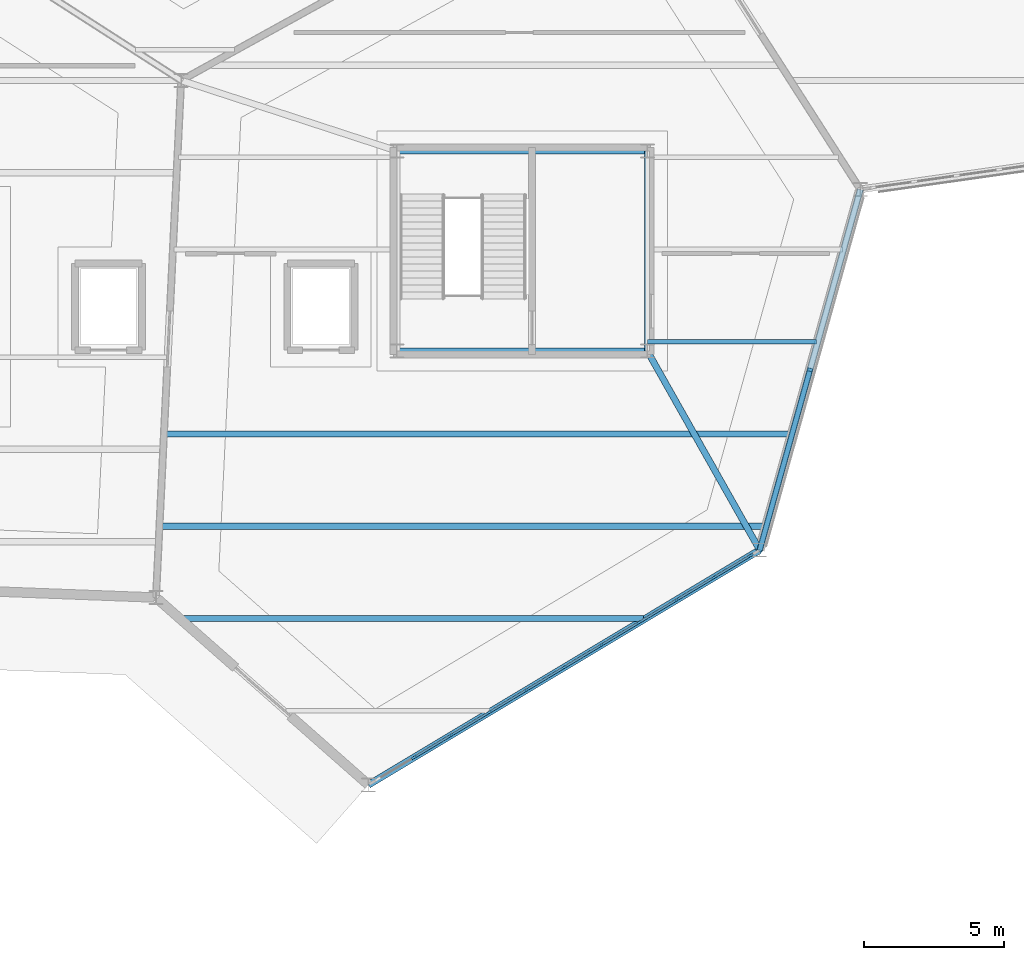
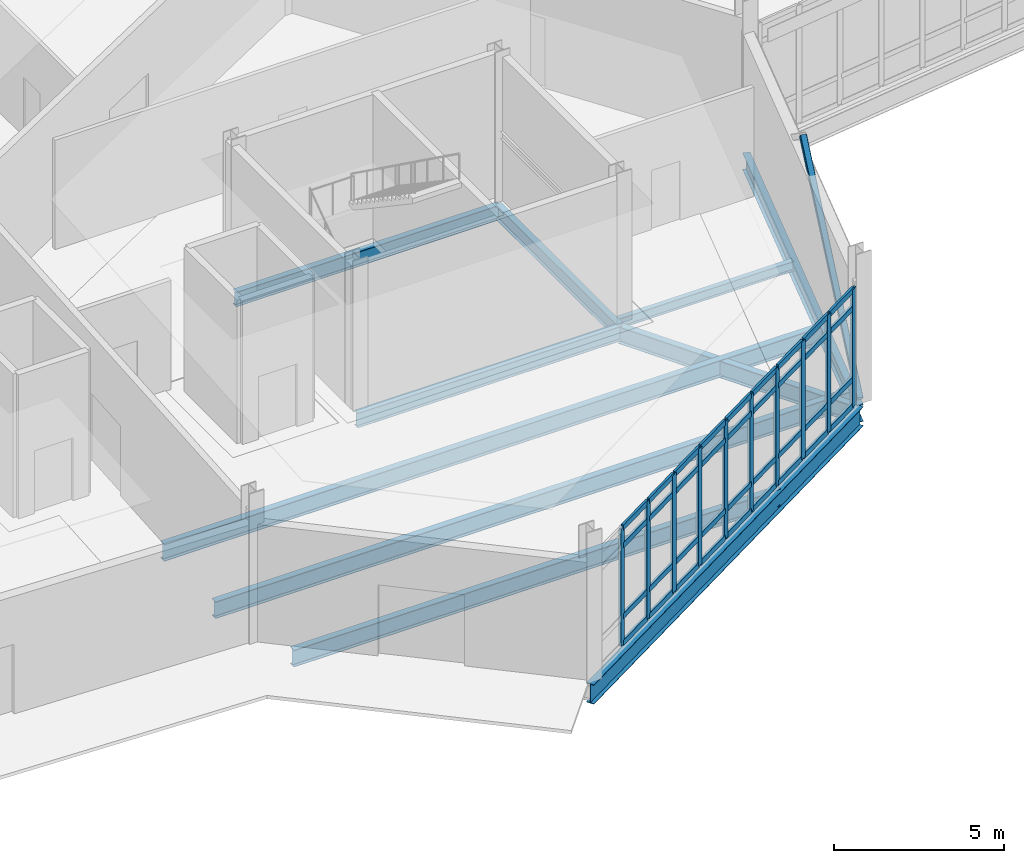
# One storey, part 62 of 113: 47 members, 10 beams, 1 element without a shape of its own.
"""IFC4 building model written with IfcOpenShell, lengths in metres."""

from ifc_helpers import new_model, si_unit, direction, frame, origin, origin_2d, place, context, subcontext, project, spatial, rectangle, hollow_rectangle, i_section, extrude, material, material_profile, profile_set, type_object, element, aggregate, save


model = new_model("IFC4")

# Units and contexts
model_context = context("Model", 3, precision=1e-05, world=origin(), true_north=direction((0.0, 1.0)))
body_context = subcontext(model_context, "Body", "Model", "MODEL_VIEW")
ifc_project = project(units=[si_unit("LENGTHUNIT", "METRE"), si_unit("AREAUNIT", "SQUARE_METRE"), si_unit("VOLUMEUNIT", "CUBIC_METRE"), si_unit("PLANEANGLEUNIT", "RADIAN"), si_unit("MASSUNIT", "GRAM", prefix="KILO")], contexts=[model_context])

# Site, building, storey
site_placement = place(None, origin())
site = spatial("IfcSite", under=ifc_project, at=site_placement, CompositionType="ELEMENT")
building_placement = place(site_placement, origin())
building = spatial("IfcBuilding", under=site, at=building_placement, Name="Tameran Prism Museum", CompositionType="ELEMENT")
storey_placement = place(building_placement, origin())
storey = spatial("IfcBuildingStorey", under=building, at=storey_placement, Name="L00", CompositionType="ELEMENT", Elevation=0.0)

# Beams
ifc_material_1 = material(Name="Steel Grade 300PLUS (300 MPa)", Category="steel")
ifc_material_profile_1 = material_profile(ifc_material_1, i_section(OverallWidth=0.172119140625, OverallDepth=0.35888671875, WebThickness=0.008056640625, FlangeThickness=0.012939453125, FilletRadius=0.011474609375, at=origin_2d()))
ifc_profile_set_1 = profile_set([ifc_material_profile_1])
beam_type_1 = type_object("IfcBeamType", Name="BM-J360A", PredefinedType="JOIST", material=ifc_profile_set_1)
beam_1_placement = place(storey_placement, frame((135.47998046875, 79.75, -0.41943359375), z_axis=(1.0, 0.0, 0.0), x_axis=(0.0, 1.0, 0.0)))
element("IfcBeam", 1, at=beam_1_placement, inside=storey, type_object=beam_type_1, Name="Floor Beam BM-0173", PredefinedType="JOIST", context=body_context, shape_type="SweptSolid", body=[
    extrude(i_section(OverallWidth=0.172119140625, OverallDepth=0.35888671875, WebThickness=0.008056640625, FlangeThickness=0.012939453125, FilletRadius=0.011474609375, at=origin_2d()), origin(), (0.0, 0.0, 1.0), 6.05810546875),
])
ifc_material_2 = material(Name="Steel Grade 300PLUS (300 MPa)", Category="steel")
ifc_material_profile_2 = material_profile(ifc_material_2, i_section(OverallWidth=0.208984375, OverallDepth=0.528076171875, WebThickness=0.009521484375, FlangeThickness=0.01318359375, FilletRadius=0.013916015625, at=origin_2d()))
ifc_profile_set_2 = profile_set([ifc_material_profile_2])
beam_type_2 = type_object("IfcBeamType", Name="BM-SP530B", PredefinedType="SPANDREL", material=ifc_profile_set_2)
beam_2_placement = place(storey_placement, frame((126.52001953125, 79.419921875, -0.50390625), z_axis=(1.0, 0.0, 0.0), x_axis=(0.0, 1.0, 0.0)))
element("IfcBeam", 2, at=beam_2_placement, inside=storey, type_object=beam_type_2, Name="Core Ring Beam CTB-0106", PredefinedType="SPANDREL", context=body_context, shape_type="SweptSolid", body=[
    extrude(i_section(OverallWidth=0.208984375, OverallDepth=0.528076171875, WebThickness=0.009521484375, FlangeThickness=0.01318359375, FilletRadius=0.013916015625, at=origin_2d()), origin(), (0.0, 0.0, 1.0), 8.9599609375),
])
beam_3_placement = place(storey_placement, frame((135.47998046875, 79.419921875, -0.50390625), z_axis=(0.0, 1.0, 0.0), x_axis=(-1.0, 0.0, 0.0)))
element("IfcBeam", 3, at=beam_3_placement, inside=storey, type_object=beam_type_2, Name="Core Ring Beam CTB-0107", PredefinedType="SPANDREL", context=body_context, shape_type="SweptSolid", body=[
    extrude(i_section(OverallWidth=0.208984375, OverallDepth=0.528076171875, WebThickness=0.009521484375, FlangeThickness=0.01318359375, FilletRadius=0.013916015625, at=origin_2d()), origin(), (0.0, 0.0, 1.0), 7.16015625),
])
beam_4_placement = place(storey_placement, frame((135.47998046875, 86.580078125, -0.50390625), z_axis=(-1.0, 0.0, 0.0), x_axis=(0.0, -1.0, 0.0)))
element("IfcBeam", 4, at=beam_4_placement, inside=storey, type_object=beam_type_2, Name="Core Ring Beam CTB-0108", PredefinedType="SPANDREL", context=body_context, shape_type="SweptSolid", body=[
    extrude(i_section(OverallWidth=0.208984375, OverallDepth=0.528076171875, WebThickness=0.009521484375, FlangeThickness=0.01318359375, FilletRadius=0.013916015625, at=origin_2d()), origin(), (0.0, 0.0, 1.0), 8.9599609375),
])
ifc_material_3 = material(Name="Steel Grade 300PLUS (300 MPa)", Category="steel")
ifc_material_profile_3 = material_profile(ifc_material_3, i_section(OverallWidth=0.22802734375, OverallDepth=0.60205078125, WebThickness=0.010498046875, FlangeThickness=0.014892578125, FilletRadius=0.013916015625, at=origin_2d()))
ifc_profile_set_3 = profile_set([ifc_material_profile_3])
beam_type_3 = type_object("IfcBeamType", Name="BM-SP610", PredefinedType="SPANDREL", material=ifc_profile_set_3)
beam_5_placement = place(storey_placement, frame((139.5, 72.300048828125, -0.541015625), z_axis=(0.268807620494, 0.96319388659, 0.0), x_axis=(-0.96319388659, 0.268807620494, 0.0)))
element("IfcBeam", 5, at=beam_5_placement, inside=storey, type_object=beam_type_3, Name="Perimeter Spandrel SP-0008", PredefinedType="SPANDREL", context=body_context, shape_type="SweptSolid", body=[
    extrude(i_section(OverallWidth=0.22802734375, OverallDepth=0.60205078125, WebThickness=0.010498046875, FlangeThickness=0.014892578125, FilletRadius=0.013916015625, at=origin_2d()), origin(), (0.0, 0.0, 1.0), 13.392822265625),
])
ifc_material_4 = material(Name="Steel Grade 350 (350 MPa)", Category="steel")
ifc_material_profile_4 = material_profile(ifc_material_4, i_section(OverallWidth=0.25, OverallDepth=0.699951171875, WebThickness=0.010009765625, FlangeThickness=0.02001953125, at=origin_2d()))
ifc_profile_set_4 = profile_set([ifc_material_profile_4])
beam_type_4 = type_object("IfcBeamType", Name="BM-SP700", PredefinedType="SPANDREL", material=ifc_profile_set_4)
beam_6_placement = place(storey_placement, frame((125.5, 63.89990234375, -0.590087890625), z_axis=(0.857488967429, 0.51450235251, 0.0), x_axis=(-0.51450235251, 0.857488967429, 0.0)))
element("IfcBeam", 6, at=beam_6_placement, inside=storey, type_object=beam_type_4, Name="Perimeter Spandrel SP-0007", PredefinedType="SPANDREL", context=body_context, shape_type="SweptSolid", body=[
    extrude(i_section(OverallWidth=0.25, OverallDepth=0.699951171875, WebThickness=0.010009765625, FlangeThickness=0.02001953125, at=origin_2d()), origin(), (0.0, 0.0, 1.0), 16.32666015625),
])
ifc_material_5 = material(Name="Steel Grade 300PLUS (300 MPa)", Category="steel")
ifc_material_profile_5 = material_profile(ifc_material_5, i_section(OverallWidth=0.22900390625, OverallDepth=0.612060546875, WebThickness=0.011962890625, FlangeThickness=0.01953125, FilletRadius=0.013916015625, at=origin_2d()))
ifc_profile_set_5 = profile_set([ifc_material_profile_5])
beam_type_5 = type_object("IfcBeamType", Name="BM-UB610A", PredefinedType="BEAM", material=ifc_profile_set_5)
beam_7_placement = place(storey_placement, frame((135.47998046875, 79.419921875, -0.56005859375), z_axis=(0.491662661717, -0.870785752682, 0.0), x_axis=(0.870785752682, 0.491662661717, 0.0)))
element("IfcBeam", 7, at=beam_7_placement, inside=storey, type_object=beam_type_5, Name="Frame Tie Girder FG-1387", PredefinedType="BEAM", context=body_context, shape_type="SweptSolid", body=[
    extrude(i_section(OverallWidth=0.22900390625, OverallDepth=0.612060546875, WebThickness=0.011962890625, FlangeThickness=0.01953125, FilletRadius=0.013916015625, at=origin_2d()), origin(), (0.0, 0.0, 1.0), 8.17626953125),
])
ifc_material_6 = material(Name="Steel Grade 300PLUS (300 MPa)", Category="steel")
ifc_material_profile_6 = material_profile(ifc_material_6, i_section(OverallWidth=0.22802734375, OverallDepth=0.60693359375, WebThickness=0.01123046875, FlangeThickness=0.017333984375, FilletRadius=0.013916015625, at=origin_2d()))
ifc_profile_set_6 = profile_set([ifc_material_profile_6])
beam_type_6 = type_object("IfcBeamType", Name="BM-UB610B", PredefinedType="BEAM", material=ifc_profile_set_6)
beam_8_placement = place(storey_placement, frame((118.81103515625, 69.85009765625, -0.54345703125), z_axis=(1.0, 0.0, 0.0), x_axis=(0.0, 1.0, 0.0)))
element("IfcBeam", 8, at=beam_8_placement, inside=storey, type_object=beam_type_6, Name="Floor Beam BM-0169", PredefinedType="BEAM", context=body_context, shape_type="SweptSolid", body=[
    extrude(i_section(OverallWidth=0.22802734375, OverallDepth=0.60693359375, WebThickness=0.01123046875, FlangeThickness=0.017333984375, FilletRadius=0.013916015625, at=origin_2d()), origin(), (0.0, 0.0, 1.0), 16.528076171875),
])
beam_9_placement = place(storey_placement, frame((118.06396484375, 73.14990234375, -0.54345703125), z_axis=(1.0, 0.0, 0.0), x_axis=(0.0, 1.0, 0.0)))
element("IfcBeam", 9, at=beam_9_placement, inside=storey, type_object=beam_type_6, Name="Floor Beam BM-0170", PredefinedType="BEAM", context=body_context, shape_type="SweptSolid", body=[
    extrude(i_section(OverallWidth=0.22802734375, OverallDepth=0.60693359375, WebThickness=0.01123046875, FlangeThickness=0.017333984375, FilletRadius=0.013916015625, at=origin_2d()), origin(), (0.0, 0.0, 1.0), 21.632080078125),
])
beam_10_placement = place(storey_placement, frame((118.22509765625, 76.449951171875, -0.54345703125), z_axis=(1.0, 0.0, 0.0), x_axis=(0.0, 1.0, 0.0)))
element("IfcBeam", 10, at=beam_10_placement, inside=storey, type_object=beam_type_6, Name="Floor Beam BM-0171", PredefinedType="BEAM", context=body_context, shape_type="SweptSolid", body=[
    extrude(i_section(OverallWidth=0.22802734375, OverallDepth=0.60693359375, WebThickness=0.01123046875, FlangeThickness=0.017333984375, FilletRadius=0.013916015625, at=origin_2d()), origin(), (0.0, 0.0, 1.0), 22.391845703125),
])

# Curtain wall, members
ifc_material_7 = material(Name="Anodised Aluminium 6063-T6 and Cyclone Solar Glass", Category="aluminium")
curtain_wall_type = type_object("IfcCurtainWallType", Name="CW-FAC-1563x422", PredefinedType="USERDEFINED", material=ifc_material_7)
curtain_wall_placement = place(storey_placement, origin())
curtain_wall = element("IfcCurtainWall", 11, at=curtain_wall_placement, inside=storey, type_object=curtain_wall_type, Name="Unitised Curtain Wall CW-022", ObjectType="UNITISED CURTAIN WALL", PredefinedType="USERDEFINED")
ifc_material_8 = material(Name="Anodised Aluminium Alloy 6063-T6", Category="aluminium")
ifc_material_profile_7 = material_profile(ifc_material_8, rectangle(XDim=0.080078125, YDim=0.219970703125, at=origin_2d()))
ifc_profile_set_7 = profile_set([ifc_material_profile_7])
member_type_1 = type_object("IfcMemberType", Name="CW-MUL-D", PredefinedType="MULLION", material=ifc_profile_set_7)
member_1_placement = place(storey_placement, frame((139.165771484375, 72.099365234375, 0.0), z_axis=(0.0, 0.0, 1.0), x_axis=(0.514495755426, -0.857492925713, 0.0)))
member_1 = element("IfcMember", 12, at=member_1_placement, type_object=member_type_1, Name="CW-022 mullion 1", PredefinedType="MULLION", context=body_context, shape_type="SweptSolid", body=[
    extrude(rectangle(XDim=0.080078125, YDim=0.219970703125, at=origin_2d()), origin(), (0.0, 0.0, 1.0), 4.219970703125),
])
member_2_placement = place(storey_placement, frame((137.860107421875, 71.31591796875, 0.0), z_axis=(0.0, 0.0, 1.0), x_axis=(0.514495755426, -0.857492925713, 0.0)))
member_2 = element("IfcMember", 13, at=member_2_placement, type_object=member_type_1, Name="CW-022 mullion 2", PredefinedType="MULLION", context=body_context, shape_type="SweptSolid", body=[
    extrude(rectangle(XDim=0.080078125, YDim=0.219970703125, at=origin_2d()), origin(), (0.0, 0.0, 1.0), 4.219970703125),
])
member_3_placement = place(storey_placement, frame((136.52001953125, 70.511962890625, 0.0), z_axis=(0.0, 0.0, 1.0), x_axis=(0.514495755426, -0.857492925713, 0.0)))
member_3 = element("IfcMember", 14, at=member_3_placement, type_object=member_type_1, Name="CW-022 mullion 3", PredefinedType="MULLION", context=body_context, shape_type="SweptSolid", body=[
    extrude(rectangle(XDim=0.080078125, YDim=0.219970703125, at=origin_2d()), origin(), (0.0, 0.0, 1.0), 4.219970703125),
])
member_4_placement = place(storey_placement, frame((135.179931640625, 69.7080078125, 0.0), z_axis=(0.0, 0.0, 1.0), x_axis=(0.514495755426, -0.857492925713, 0.0)))
member_4 = element("IfcMember", 15, at=member_4_placement, type_object=member_type_1, Name="CW-022 mullion 4", PredefinedType="MULLION", context=body_context, shape_type="SweptSolid", body=[
    extrude(rectangle(XDim=0.080078125, YDim=0.219970703125, at=origin_2d()), origin(), (0.0, 0.0, 1.0), 4.219970703125),
])
member_5_placement = place(storey_placement, frame((133.840087890625, 68.904052734375, 0.0), z_axis=(0.0, 0.0, 1.0), x_axis=(0.514495755426, -0.857492925713, 0.0)))
member_5 = element("IfcMember", 16, at=member_5_placement, type_object=member_type_1, Name="CW-022 mullion 5", PredefinedType="MULLION", context=body_context, shape_type="SweptSolid", body=[
    extrude(rectangle(XDim=0.080078125, YDim=0.219970703125, at=origin_2d()), origin(), (0.0, 0.0, 1.0), 4.219970703125),
])
member_6_placement = place(storey_placement, frame((132.5, 68.10009765625, 0.0), z_axis=(0.0, 0.0, 1.0), x_axis=(0.514495755426, -0.857492925713, 0.0)))
member_6 = element("IfcMember", 17, at=member_6_placement, type_object=member_type_1, Name="CW-022 mullion 6", PredefinedType="MULLION", context=body_context, shape_type="SweptSolid", body=[
    extrude(rectangle(XDim=0.080078125, YDim=0.219970703125, at=origin_2d()), origin(), (0.0, 0.0, 1.0), 4.219970703125),
])
member_7_placement = place(storey_placement, frame((131.159912109375, 67.2958984375, 0.0), z_axis=(0.0, 0.0, 1.0), x_axis=(0.514495755426, -0.857492925713, 0.0)))
member_7 = element("IfcMember", 18, at=member_7_placement, type_object=member_type_1, Name="CW-022 mullion 7", PredefinedType="MULLION", context=body_context, shape_type="SweptSolid", body=[
    extrude(rectangle(XDim=0.080078125, YDim=0.219970703125, at=origin_2d()), origin(), (0.0, 0.0, 1.0), 4.219970703125),
])
member_8_placement = place(storey_placement, frame((129.820068359375, 66.491943359375, 0.0), z_axis=(0.0, 0.0, 1.0), x_axis=(0.514495755426, -0.857492925713, 0.0)))
member_8 = element("IfcMember", 19, at=member_8_placement, type_object=member_type_1, Name="CW-022 mullion 8", PredefinedType="MULLION", context=body_context, shape_type="SweptSolid", body=[
    extrude(rectangle(XDim=0.080078125, YDim=0.219970703125, at=origin_2d()), origin(), (0.0, 0.0, 1.0), 4.219970703125),
])
member_9_placement = place(storey_placement, frame((128.47998046875, 65.68798828125, 0.0), z_axis=(0.0, 0.0, 1.0), x_axis=(0.514495755426, -0.857492925713, 0.0)))
member_9 = element("IfcMember", 20, at=member_9_placement, type_object=member_type_1, Name="CW-022 mullion 9", PredefinedType="MULLION", context=body_context, shape_type="SweptSolid", body=[
    extrude(rectangle(XDim=0.080078125, YDim=0.219970703125, at=origin_2d()), origin(), (0.0, 0.0, 1.0), 4.219970703125),
])
member_10_placement = place(storey_placement, frame((127.139892578125, 64.884033203125, 0.0), z_axis=(0.0, 0.0, 1.0), x_axis=(0.514495755426, -0.857492925713, 0.0)))
member_10 = element("IfcMember", 21, at=member_10_placement, type_object=member_type_1, Name="CW-022 mullion 10", PredefinedType="MULLION", context=body_context, shape_type="SweptSolid", body=[
    extrude(rectangle(XDim=0.080078125, YDim=0.219970703125, at=origin_2d()), origin(), (0.0, 0.0, 1.0), 4.219970703125),
])
ifc_material_9 = material(Name="Anodised Aluminium Alloy 6063-T6", Category="aluminium")
ifc_material_profile_8 = material_profile(ifc_material_9, rectangle(XDim=0.080078125, YDim=0.195068359375, at=origin_2d()))
ifc_profile_set_8 = profile_set([ifc_material_profile_8])
member_type_2 = type_object("IfcMemberType", Name="CW-TRN-D", PredefinedType="USERDEFINED", material=ifc_profile_set_8)
member_11_placement = place(storey_placement, frame((139.13134765625, 72.078857421875, 0.0400390625), z_axis=(-0.857507857749, -0.514470867882, 0.0), x_axis=(0.514470867882, -0.857507857749, 0.0)))
member_11 = element("IfcMember", 22, at=member_11_placement, type_object=member_type_2, Name="CW-022 transom 1.1", ObjectType="TRANSOM", PredefinedType="USERDEFINED", context=body_context, shape_type="SweptSolid", body=[
    extrude(rectangle(XDim=0.080078125, YDim=0.195068359375, at=origin_2d()), origin(), (0.0, 0.0, 1.0), 1.442626953125),
])
member_12_placement = place(storey_placement, frame((139.13134765625, 72.078857421875, 1.0), z_axis=(-0.857507857749, -0.514470867882, 0.0), x_axis=(0.514470867882, -0.857507857749, 0.0)))
member_12 = element("IfcMember", 23, at=member_12_placement, type_object=member_type_2, Name="CW-022 transom 1.2", ObjectType="TRANSOM", PredefinedType="USERDEFINED", context=body_context, shape_type="SweptSolid", body=[
    extrude(rectangle(XDim=0.080078125, YDim=0.195068359375, at=origin_2d()), origin(), (0.0, 0.0, 1.0), 1.442626953125),
])
member_13_placement = place(storey_placement, frame((139.13134765625, 72.078857421875, 3.5400390625), z_axis=(-0.857507857749, -0.514470867882, 0.0), x_axis=(0.514470867882, -0.857507857749, 0.0)))
member_13 = element("IfcMember", 24, at=member_13_placement, type_object=member_type_2, Name="CW-022 transom 1.3", ObjectType="TRANSOM", PredefinedType="USERDEFINED", context=body_context, shape_type="SweptSolid", body=[
    extrude(rectangle(XDim=0.080078125, YDim=0.195068359375, at=origin_2d()), origin(), (0.0, 0.0, 1.0), 1.442626953125),
])
member_14_placement = place(storey_placement, frame((139.13134765625, 72.078857421875, 4.179931640625), z_axis=(-0.857507857749, -0.514470867882, 0.0), x_axis=(0.514470867882, -0.857507857749, 0.0)))
member_14 = element("IfcMember", 25, at=member_14_placement, type_object=member_type_2, Name="CW-022 transom 1.4", ObjectType="TRANSOM", PredefinedType="USERDEFINED", context=body_context, shape_type="SweptSolid", body=[
    extrude(rectangle(XDim=0.080078125, YDim=0.195068359375, at=origin_2d()), origin(), (0.0, 0.0, 1.0), 1.442626953125),
])
member_15_placement = place(storey_placement, frame((137.82568359375, 71.29541015625, 0.0400390625), z_axis=(-0.857478397748, -0.514519967927, 0.0), x_axis=(0.514519967927, -0.857478397748, 0.0)))
member_15 = element("IfcMember", 26, at=member_15_placement, type_object=member_type_2, Name="CW-022 transom 2.1", ObjectType="TRANSOM", PredefinedType="USERDEFINED", context=body_context, shape_type="SweptSolid", body=[
    extrude(rectangle(XDim=0.080078125, YDim=0.195068359375, at=origin_2d()), origin(), (0.0, 0.0, 1.0), 1.48291015625),
])
member_16_placement = place(storey_placement, frame((137.82568359375, 71.29541015625, 1.0), z_axis=(-0.857478397748, -0.514519967927, 0.0), x_axis=(0.514519967927, -0.857478397748, 0.0)))
member_16 = element("IfcMember", 27, at=member_16_placement, type_object=member_type_2, Name="CW-022 transom 2.2", ObjectType="TRANSOM", PredefinedType="USERDEFINED", context=body_context, shape_type="SweptSolid", body=[
    extrude(rectangle(XDim=0.080078125, YDim=0.195068359375, at=origin_2d()), origin(), (0.0, 0.0, 1.0), 1.48291015625),
])
member_17_placement = place(storey_placement, frame((137.82568359375, 71.29541015625, 3.5400390625), z_axis=(-0.857478397748, -0.514519967927, 0.0), x_axis=(0.514519967927, -0.857478397748, 0.0)))
member_17 = element("IfcMember", 28, at=member_17_placement, type_object=member_type_2, Name="CW-022 transom 2.3", ObjectType="TRANSOM", PredefinedType="USERDEFINED", context=body_context, shape_type="SweptSolid", body=[
    extrude(rectangle(XDim=0.080078125, YDim=0.195068359375, at=origin_2d()), origin(), (0.0, 0.0, 1.0), 1.48291015625),
])
member_18_placement = place(storey_placement, frame((137.82568359375, 71.29541015625, 4.179931640625), z_axis=(-0.857478397748, -0.514519967927, 0.0), x_axis=(0.514519967927, -0.857478397748, 0.0)))
member_18 = element("IfcMember", 29, at=member_18_placement, type_object=member_type_2, Name="CW-022 transom 2.4", ObjectType="TRANSOM", PredefinedType="USERDEFINED", context=body_context, shape_type="SweptSolid", body=[
    extrude(rectangle(XDim=0.080078125, YDim=0.195068359375, at=origin_2d()), origin(), (0.0, 0.0, 1.0), 1.48291015625),
])
member_19_placement = place(storey_placement, frame((136.485595703125, 70.491455078125, 0.0400390625), z_axis=(-0.857434801546, -0.514592616637, 0.0), x_axis=(0.514592616637, -0.857434801546, 0.0)))
member_19 = element("IfcMember", 30, at=member_19_placement, type_object=member_type_2, Name="CW-022 transom 3.1", ObjectType="TRANSOM", PredefinedType="USERDEFINED", context=body_context, shape_type="SweptSolid", body=[
    extrude(rectangle(XDim=0.080078125, YDim=0.195068359375, at=origin_2d()), origin(), (0.0, 0.0, 1.0), 1.482666015625),
])
member_20_placement = place(storey_placement, frame((136.485595703125, 70.491455078125, 1.0), z_axis=(-0.857434801546, -0.514592616637, 0.0), x_axis=(0.514592616637, -0.857434801546, 0.0)))
member_20 = element("IfcMember", 31, at=member_20_placement, type_object=member_type_2, Name="CW-022 transom 3.2", ObjectType="TRANSOM", PredefinedType="USERDEFINED", context=body_context, shape_type="SweptSolid", body=[
    extrude(rectangle(XDim=0.080078125, YDim=0.195068359375, at=origin_2d()), origin(), (0.0, 0.0, 1.0), 1.482666015625),
])
member_21_placement = place(storey_placement, frame((136.485595703125, 70.491455078125, 3.5400390625), z_axis=(-0.857434801546, -0.514592616637, 0.0), x_axis=(0.514592616637, -0.857434801546, 0.0)))
member_21 = element("IfcMember", 32, at=member_21_placement, type_object=member_type_2, Name="CW-022 transom 3.3", ObjectType="TRANSOM", PredefinedType="USERDEFINED", context=body_context, shape_type="SweptSolid", body=[
    extrude(rectangle(XDim=0.080078125, YDim=0.195068359375, at=origin_2d()), origin(), (0.0, 0.0, 1.0), 1.482666015625),
])
member_22_placement = place(storey_placement, frame((136.485595703125, 70.491455078125, 4.179931640625), z_axis=(-0.857434801546, -0.514592616637, 0.0), x_axis=(0.514592616637, -0.857434801546, 0.0)))
member_22 = element("IfcMember", 33, at=member_22_placement, type_object=member_type_2, Name="CW-022 transom 3.4", ObjectType="TRANSOM", PredefinedType="USERDEFINED", context=body_context, shape_type="SweptSolid", body=[
    extrude(rectangle(XDim=0.080078125, YDim=0.195068359375, at=origin_2d()), origin(), (0.0, 0.0, 1.0), 1.482666015625),
])
member_23_placement = place(storey_placement, frame((135.145751953125, 69.6875, 0.0400390625), z_axis=(-0.857478397748, -0.514519967927, 0.0), x_axis=(0.514519967927, -0.857478397748, 0.0)))
member_23 = element("IfcMember", 34, at=member_23_placement, type_object=member_type_2, Name="CW-022 transom 4.1", ObjectType="TRANSOM", PredefinedType="USERDEFINED", context=body_context, shape_type="SweptSolid", body=[
    extrude(rectangle(XDim=0.080078125, YDim=0.195068359375, at=origin_2d()), origin(), (0.0, 0.0, 1.0), 1.48291015625),
])
member_24_placement = place(storey_placement, frame((135.145751953125, 69.6875, 1.0), z_axis=(-0.857478397748, -0.514519967927, 0.0), x_axis=(0.514519967927, -0.857478397748, 0.0)))
member_24 = element("IfcMember", 35, at=member_24_placement, type_object=member_type_2, Name="CW-022 transom 4.2", ObjectType="TRANSOM", PredefinedType="USERDEFINED", context=body_context, shape_type="SweptSolid", body=[
    extrude(rectangle(XDim=0.080078125, YDim=0.195068359375, at=origin_2d()), origin(), (0.0, 0.0, 1.0), 1.48291015625),
])
member_25_placement = place(storey_placement, frame((135.145751953125, 69.6875, 3.5400390625), z_axis=(-0.857478397748, -0.514519967927, 0.0), x_axis=(0.514519967927, -0.857478397748, 0.0)))
member_25 = element("IfcMember", 36, at=member_25_placement, type_object=member_type_2, Name="CW-022 transom 4.3", ObjectType="TRANSOM", PredefinedType="USERDEFINED", context=body_context, shape_type="SweptSolid", body=[
    extrude(rectangle(XDim=0.080078125, YDim=0.195068359375, at=origin_2d()), origin(), (0.0, 0.0, 1.0), 1.48291015625),
])
member_26_placement = place(storey_placement, frame((135.145751953125, 69.6875, 4.179931640625), z_axis=(-0.857478397748, -0.514519967927, 0.0), x_axis=(0.514519967927, -0.857478397748, 0.0)))
member_26 = element("IfcMember", 37, at=member_26_placement, type_object=member_type_2, Name="CW-022 transom 4.4", ObjectType="TRANSOM", PredefinedType="USERDEFINED", context=body_context, shape_type="SweptSolid", body=[
    extrude(rectangle(XDim=0.080078125, YDim=0.195068359375, at=origin_2d()), origin(), (0.0, 0.0, 1.0), 1.48291015625),
])
member_27_placement = place(storey_placement, frame((133.8056640625, 68.88330078125, 0.0400390625), z_axis=(-0.857551035655, -0.514398893123, 0.0), x_axis=(0.514398893123, -0.857551035655, 0.0)))
member_27 = element("IfcMember", 38, at=member_27_placement, type_object=member_type_2, Name="CW-022 transom 5.1", ObjectType="TRANSOM", PredefinedType="USERDEFINED", context=body_context, shape_type="SweptSolid", body=[
    extrude(rectangle(XDim=0.080078125, YDim=0.195068359375, at=origin_2d()), origin(), (0.0, 0.0, 1.0), 1.482666015625),
])
member_28_placement = place(storey_placement, frame((133.8056640625, 68.88330078125, 1.0), z_axis=(-0.857551035655, -0.514398893123, 0.0), x_axis=(0.514398893123, -0.857551035655, 0.0)))
member_28 = element("IfcMember", 39, at=member_28_placement, type_object=member_type_2, Name="CW-022 transom 5.2", ObjectType="TRANSOM", PredefinedType="USERDEFINED", context=body_context, shape_type="SweptSolid", body=[
    extrude(rectangle(XDim=0.080078125, YDim=0.195068359375, at=origin_2d()), origin(), (0.0, 0.0, 1.0), 1.482666015625),
])
member_29_placement = place(storey_placement, frame((133.8056640625, 68.88330078125, 3.5400390625), z_axis=(-0.857551035655, -0.514398893123, 0.0), x_axis=(0.514398893123, -0.857551035655, 0.0)))
member_29 = element("IfcMember", 40, at=member_29_placement, type_object=member_type_2, Name="CW-022 transom 5.3", ObjectType="TRANSOM", PredefinedType="USERDEFINED", context=body_context, shape_type="SweptSolid", body=[
    extrude(rectangle(XDim=0.080078125, YDim=0.195068359375, at=origin_2d()), origin(), (0.0, 0.0, 1.0), 1.482666015625),
])
member_30_placement = place(storey_placement, frame((133.8056640625, 68.88330078125, 4.179931640625), z_axis=(-0.857551035655, -0.514398893123, 0.0), x_axis=(0.514398893123, -0.857551035655, 0.0)))
member_30 = element("IfcMember", 41, at=member_30_placement, type_object=member_type_2, Name="CW-022 transom 5.4", ObjectType="TRANSOM", PredefinedType="USERDEFINED", context=body_context, shape_type="SweptSolid", body=[
    extrude(rectangle(XDim=0.080078125, YDim=0.195068359375, at=origin_2d()), origin(), (0.0, 0.0, 1.0), 1.482666015625),
])
member_31_placement = place(storey_placement, frame((132.4658203125, 68.079345703125, 0.0400390625), z_axis=(-0.857551035655, -0.514398893123, 0.0), x_axis=(0.514398893123, -0.857551035655, 0.0)))
member_31 = element("IfcMember", 42, at=member_31_placement, type_object=member_type_2, Name="CW-022 transom 6.1", ObjectType="TRANSOM", PredefinedType="USERDEFINED", context=body_context, shape_type="SweptSolid", body=[
    extrude(rectangle(XDim=0.080078125, YDim=0.195068359375, at=origin_2d()), origin(), (0.0, 0.0, 1.0), 1.482666015625),
])
member_32_placement = place(storey_placement, frame((132.4658203125, 68.079345703125, 1.0), z_axis=(-0.857551035655, -0.514398893123, 0.0), x_axis=(0.514398893123, -0.857551035655, 0.0)))
member_32 = element("IfcMember", 43, at=member_32_placement, type_object=member_type_2, Name="CW-022 transom 6.2", ObjectType="TRANSOM", PredefinedType="USERDEFINED", context=body_context, shape_type="SweptSolid", body=[
    extrude(rectangle(XDim=0.080078125, YDim=0.195068359375, at=origin_2d()), origin(), (0.0, 0.0, 1.0), 1.482666015625),
])
member_33_placement = place(storey_placement, frame((132.4658203125, 68.079345703125, 3.5400390625), z_axis=(-0.857551035655, -0.514398893123, 0.0), x_axis=(0.514398893123, -0.857551035655, 0.0)))
member_33 = element("IfcMember", 44, at=member_33_placement, type_object=member_type_2, Name="CW-022 transom 6.3", ObjectType="TRANSOM", PredefinedType="USERDEFINED", context=body_context, shape_type="SweptSolid", body=[
    extrude(rectangle(XDim=0.080078125, YDim=0.195068359375, at=origin_2d()), origin(), (0.0, 0.0, 1.0), 1.482666015625),
])
member_34_placement = place(storey_placement, frame((132.4658203125, 68.079345703125, 4.179931640625), z_axis=(-0.857551035655, -0.514398893123, 0.0), x_axis=(0.514398893123, -0.857551035655, 0.0)))
member_34 = element("IfcMember", 45, at=member_34_placement, type_object=member_type_2, Name="CW-022 transom 6.4", ObjectType="TRANSOM", PredefinedType="USERDEFINED", context=body_context, shape_type="SweptSolid", body=[
    extrude(rectangle(XDim=0.080078125, YDim=0.195068359375, at=origin_2d()), origin(), (0.0, 0.0, 1.0), 1.482666015625),
])
member_35_placement = place(storey_placement, frame((131.125732421875, 67.275390625, 0.0400390625), z_axis=(-0.857551035655, -0.514398893123, 0.0), x_axis=(0.514398893123, -0.857551035655, 0.0)))
member_35 = element("IfcMember", 46, at=member_35_placement, type_object=member_type_2, Name="CW-022 transom 7.1", ObjectType="TRANSOM", PredefinedType="USERDEFINED", context=body_context, shape_type="SweptSolid", body=[
    extrude(rectangle(XDim=0.080078125, YDim=0.195068359375, at=origin_2d()), origin(), (0.0, 0.0, 1.0), 1.482666015625),
])
member_36_placement = place(storey_placement, frame((131.125732421875, 67.275390625, 1.0), z_axis=(-0.857551035655, -0.514398893123, 0.0), x_axis=(0.514398893123, -0.857551035655, 0.0)))
member_36 = element("IfcMember", 47, at=member_36_placement, type_object=member_type_2, Name="CW-022 transom 7.2", ObjectType="TRANSOM", PredefinedType="USERDEFINED", context=body_context, shape_type="SweptSolid", body=[
    extrude(rectangle(XDim=0.080078125, YDim=0.195068359375, at=origin_2d()), origin(), (0.0, 0.0, 1.0), 1.482666015625),
])
member_37_placement = place(storey_placement, frame((131.125732421875, 67.275390625, 3.5400390625), z_axis=(-0.857551035655, -0.514398893123, 0.0), x_axis=(0.514398893123, -0.857551035655, 0.0)))
member_37 = element("IfcMember", 48, at=member_37_placement, type_object=member_type_2, Name="CW-022 transom 7.3", ObjectType="TRANSOM", PredefinedType="USERDEFINED", context=body_context, shape_type="SweptSolid", body=[
    extrude(rectangle(XDim=0.080078125, YDim=0.195068359375, at=origin_2d()), origin(), (0.0, 0.0, 1.0), 1.482666015625),
])
member_38_placement = place(storey_placement, frame((131.125732421875, 67.275390625, 4.179931640625), z_axis=(-0.857551035655, -0.514398893123, 0.0), x_axis=(0.514398893123, -0.857551035655, 0.0)))
member_38 = element("IfcMember", 49, at=member_38_placement, type_object=member_type_2, Name="CW-022 transom 7.4", ObjectType="TRANSOM", PredefinedType="USERDEFINED", context=body_context, shape_type="SweptSolid", body=[
    extrude(rectangle(XDim=0.080078125, YDim=0.195068359375, at=origin_2d()), origin(), (0.0, 0.0, 1.0), 1.482666015625),
])
member_39_placement = place(storey_placement, frame((129.78564453125, 66.471435546875, 0.0400390625), z_axis=(-0.857434801546, -0.514592616637, 0.0), x_axis=(0.514592616637, -0.857434801546, 0.0)))
member_39 = element("IfcMember", 50, at=member_39_placement, type_object=member_type_2, Name="CW-022 transom 8.1", ObjectType="TRANSOM", PredefinedType="USERDEFINED", context=body_context, shape_type="SweptSolid", body=[
    extrude(rectangle(XDim=0.080078125, YDim=0.195068359375, at=origin_2d()), origin(), (0.0, 0.0, 1.0), 1.482666015625),
])
member_40_placement = place(storey_placement, frame((129.78564453125, 66.471435546875, 1.0), z_axis=(-0.857434801546, -0.514592616637, 0.0), x_axis=(0.514592616637, -0.857434801546, 0.0)))
member_40 = element("IfcMember", 51, at=member_40_placement, type_object=member_type_2, Name="CW-022 transom 8.2", ObjectType="TRANSOM", PredefinedType="USERDEFINED", context=body_context, shape_type="SweptSolid", body=[
    extrude(rectangle(XDim=0.080078125, YDim=0.195068359375, at=origin_2d()), origin(), (0.0, 0.0, 1.0), 1.482666015625),
])
member_41_placement = place(storey_placement, frame((129.78564453125, 66.471435546875, 3.5400390625), z_axis=(-0.857434801546, -0.514592616637, 0.0), x_axis=(0.514592616637, -0.857434801546, 0.0)))
member_41 = element("IfcMember", 52, at=member_41_placement, type_object=member_type_2, Name="CW-022 transom 8.3", ObjectType="TRANSOM", PredefinedType="USERDEFINED", context=body_context, shape_type="SweptSolid", body=[
    extrude(rectangle(XDim=0.080078125, YDim=0.195068359375, at=origin_2d()), origin(), (0.0, 0.0, 1.0), 1.482666015625),
])
member_42_placement = place(storey_placement, frame((129.78564453125, 66.471435546875, 4.179931640625), z_axis=(-0.857434801546, -0.514592616637, 0.0), x_axis=(0.514592616637, -0.857434801546, 0.0)))
member_42 = element("IfcMember", 53, at=member_42_placement, type_object=member_type_2, Name="CW-022 transom 8.4", ObjectType="TRANSOM", PredefinedType="USERDEFINED", context=body_context, shape_type="SweptSolid", body=[
    extrude(rectangle(XDim=0.080078125, YDim=0.195068359375, at=origin_2d()), origin(), (0.0, 0.0, 1.0), 1.482666015625),
])
member_43_placement = place(storey_placement, frame((128.44580078125, 65.66748046875, 0.0400390625), z_axis=(-0.857478397748, -0.514519967927, 0.0), x_axis=(0.514519967927, -0.857478397748, 0.0)))
member_43 = element("IfcMember", 54, at=member_43_placement, type_object=member_type_2, Name="CW-022 transom 9.1", ObjectType="TRANSOM", PredefinedType="USERDEFINED", context=body_context, shape_type="SweptSolid", body=[
    extrude(rectangle(XDim=0.080078125, YDim=0.195068359375, at=origin_2d()), origin(), (0.0, 0.0, 1.0), 1.48291015625),
])
member_44_placement = place(storey_placement, frame((128.44580078125, 65.66748046875, 1.0), z_axis=(-0.857478397748, -0.514519967927, 0.0), x_axis=(0.514519967927, -0.857478397748, 0.0)))
member_44 = element("IfcMember", 55, at=member_44_placement, type_object=member_type_2, Name="CW-022 transom 9.2", ObjectType="TRANSOM", PredefinedType="USERDEFINED", context=body_context, shape_type="SweptSolid", body=[
    extrude(rectangle(XDim=0.080078125, YDim=0.195068359375, at=origin_2d()), origin(), (0.0, 0.0, 1.0), 1.48291015625),
])
member_45_placement = place(storey_placement, frame((128.44580078125, 65.66748046875, 3.5400390625), z_axis=(-0.857478397748, -0.514519967927, 0.0), x_axis=(0.514519967927, -0.857478397748, 0.0)))
member_45 = element("IfcMember", 56, at=member_45_placement, type_object=member_type_2, Name="CW-022 transom 9.3", ObjectType="TRANSOM", PredefinedType="USERDEFINED", context=body_context, shape_type="SweptSolid", body=[
    extrude(rectangle(XDim=0.080078125, YDim=0.195068359375, at=origin_2d()), origin(), (0.0, 0.0, 1.0), 1.48291015625),
])
member_46_placement = place(storey_placement, frame((128.44580078125, 65.66748046875, 4.179931640625), z_axis=(-0.857478397748, -0.514519967927, 0.0), x_axis=(0.514519967927, -0.857478397748, 0.0)))
member_46 = element("IfcMember", 57, at=member_46_placement, type_object=member_type_2, Name="CW-022 transom 9.4", ObjectType="TRANSOM", PredefinedType="USERDEFINED", context=body_context, shape_type="SweptSolid", body=[
    extrude(rectangle(XDim=0.080078125, YDim=0.195068359375, at=origin_2d()), origin(), (0.0, 0.0, 1.0), 1.48291015625),
])
aggregate(curtain_wall, [member_1, member_2, member_3, member_4, member_5, member_6, member_7, member_8, member_9, member_10, member_11, member_12, member_13, member_14, member_15, member_16, member_17, member_18, member_19, member_20, member_21, member_22, member_23, member_24, member_25, member_26, member_27, member_28, member_29, member_30, member_31, member_32, member_33, member_34, member_35, member_36, member_37, member_38, member_39, member_40, member_41, member_42, member_43, member_44, member_45, member_46])

# Member
ifc_material_10 = material(Name="Steel Grade C350L0 (350 MPa)", Category="steel")
ifc_material_profile_9 = material_profile(ifc_material_10, hollow_rectangle(XDim=0.199951171875, YDim=0.199951171875, WallThickness=0.009033203125, InnerFilletRadius=0.013427734375, OuterFilletRadius=0.0224609375, at=origin_2d()))
ifc_profile_set_9 = profile_set([ifc_material_profile_9])
member_type_3 = type_object("IfcMemberType", Name="MM-BR-SHS200", PredefinedType="BRACE", material=ifc_profile_set_9)
member_47_placement = place(storey_placement, frame((139.5, 72.300048828125, 0.0), z_axis=(0.216934627001, 0.777322109145, 0.590516474149), x_axis=(-0.96319388659, 0.268807620494, 0.0)))
element("IfcMember", 58, at=member_47_placement, inside=storey, type_object=member_type_3, Name="Lateral Chevron Brace CBF-023", PredefinedType="BRACE", context=body_context, shape_type="SweptSolid", body=[
    extrude(hollow_rectangle(XDim=0.199951171875, YDim=0.199951171875, WallThickness=0.009033203125, InnerFilletRadius=0.013427734375, OuterFilletRadius=0.0224609375, at=origin_2d()), origin(), (0.0, 0.0, 1.0), 8.297607421875),
])

save(model, "model.ifc")
